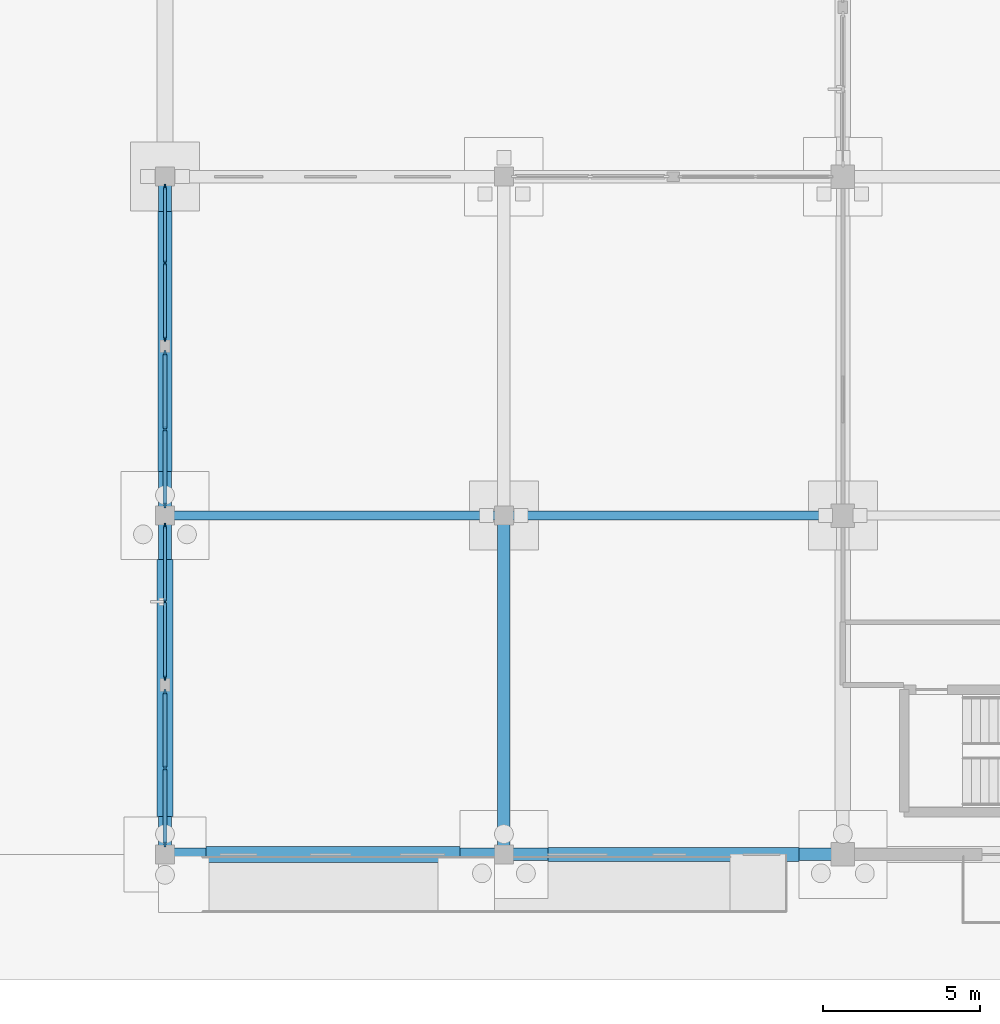
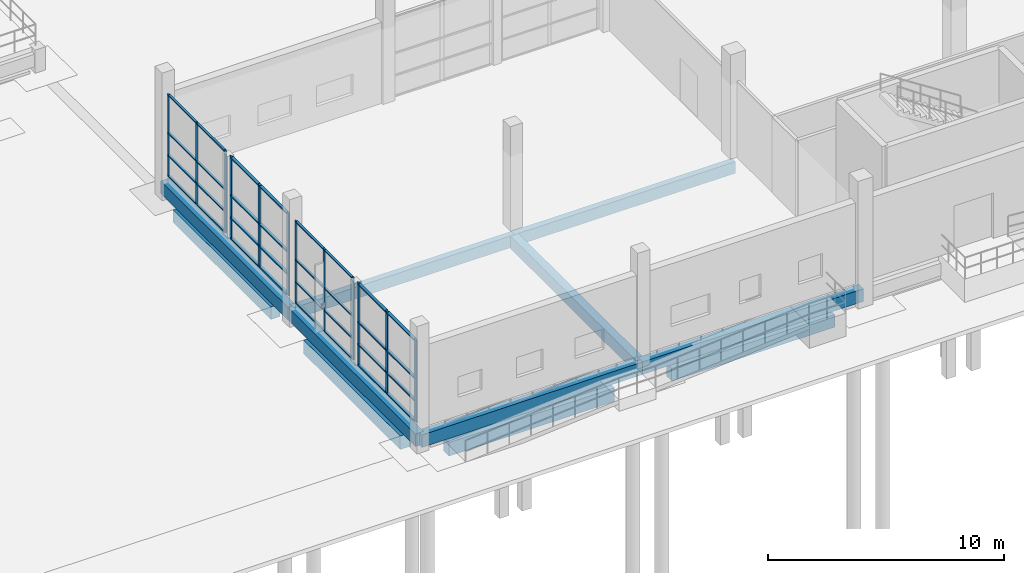
# One storey, part 30 of 138: 44 members, 11 beams, 4 elements without a shape of their own.
"""IFC4 building model written with IfcOpenShell, lengths in metres."""

from ifc_helpers import new_model, si_unit, direction, frame, origin, origin_2d, place, context, subcontext, project, spatial, rectangle, extrude, material, material_profile, profile_set, type_object, element, aggregate, save


model = new_model("IFC4")

# Units and contexts
model_context = context("Model", 3, precision=1e-05, world=origin(), true_north=direction((0.0, 1.0)))
body_context = subcontext(model_context, "Body", "Model", "MODEL_VIEW")
ifc_project = project(units=[si_unit("LENGTHUNIT", "METRE"), si_unit("AREAUNIT", "SQUARE_METRE"), si_unit("VOLUMEUNIT", "CUBIC_METRE"), si_unit("PLANEANGLEUNIT", "RADIAN"), si_unit("MASSUNIT", "GRAM", prefix="KILO")], contexts=[model_context])

# Site, building, storey
site_placement = place(None, origin())
site = spatial("IfcSite", under=ifc_project, at=site_placement, CompositionType="ELEMENT")
building_placement = place(site_placement, origin())
building = spatial("IfcBuilding", under=site, at=building_placement, Name="Zwinboog Wholesale Market", CompositionType="ELEMENT")
storey_placement = place(building_placement, origin())
storey = spatial("IfcBuildingStorey", under=building, at=storey_placement, Name="L00", CompositionType="ELEMENT", Elevation=0.0)

# Beams
ifc_material_1 = material(Name="Precast concrete C45/55", Category="concrete")
ifc_material_profile_1 = material_profile(ifc_material_1, rectangle(XDim=0.39990234375, YDim=0.64990234375, at=origin_2d()), Name="PC 400x650")
ifc_profile_set_1 = profile_set([ifc_material_profile_1], Name="Precast concrete C45/55")
beam_type_1 = type_object("IfcBeamType", Name="BT-05", PredefinedType="BEAM", material=ifc_profile_set_1)
for number, where, z_axis, x_axis, name in (
    (1, (108.0, 0.0, -0.705078125), (1.0, 0.0, 0.0), (0.0, 1.0, 0.0), "BG-05 (BMG-L00-1080-0000-0005)"),
    (2, (118.800048828125, 0.0, -0.705078125), (1.0, 0.0, 0.0), (0.0, 1.0, 0.0), "BG-05 (BMG-L00-1188-0000-0006)"),
    (3, (108.0, 0.0, -0.705078125), (0.0, 1.0, 0.0), (-1.0, 0.0, 0.0), "BG-05 (BMG-L00-1080-0000-0309)"),
    (4, (108.0, 10.800048828125, -0.705078125), (0.0, 1.0, 0.0), (-1.0, 0.0, 0.0), "BG-05 (BMG-L00-1080-0108-0310)"),
    (5, (118.800048828125, 0.0, -0.705078125), (0.0, 1.0, 0.0), (-1.0, 0.0, 0.0), "BG-05 (BMG-L00-1188-0000-0319)"),
):
    element("IfcBeam", number, at=place(storey_placement, frame(where, z_axis=z_axis, x_axis=x_axis)), inside=storey, type_object=beam_type_1, Name=name, PredefinedType="BEAM", context=body_context, shape_type="SweptSolid", body=[
        extrude(rectangle(XDim=0.39990234375, YDim=0.64990234375, at=origin_2d()), origin(), (0.0, 0.0, 1.0), 10.800048828125),
    ])
ifc_material_profile_2 = material_profile(ifc_material_1, rectangle(XDim=0.300048828125, YDim=0.60009765625, at=origin_2d()), Name="PC 300x600")
ifc_profile_set_2 = profile_set([ifc_material_profile_2], Name="Precast concrete C45/55")
beam_type_2 = type_object("IfcBeamType", Name="BT-09", PredefinedType="SPANDREL", material=ifc_profile_set_2)
for number, where, z_axis, x_axis, name in (
    (6, (108.0, 10.800048828125, -0.679931640625), (1.0, 0.0, 0.0), (0.0, 1.0, 0.0), "SP-02 (BMG-L00-1080-0108-0019)"),
    (7, (118.800048828125, 10.800048828125, -0.679931640625), (1.0, 0.0, 0.0), (0.0, 1.0, 0.0), "SP-02 (BMG-L00-1188-0108-0020)"),
):
    element("IfcBeam", number, at=place(storey_placement, frame(where, z_axis=z_axis, x_axis=x_axis)), inside=storey, type_object=beam_type_2, Name=name, PredefinedType="SPANDREL", context=body_context, shape_type="SweptSolid", body=[
        extrude(rectangle(XDim=0.300048828125, YDim=0.60009765625, at=origin_2d()), origin(), (0.0, 0.0, 1.0), 10.800048828125),
    ])
ifc_material_2 = material(Name="Concrete C35/45", Category="concrete")
ifc_material_profile_3 = material_profile(ifc_material_2, rectangle(XDim=0.5, YDim=0.699951171875, at=origin_2d()), Name="RC 500x700")
ifc_profile_set_3 = profile_set([ifc_material_profile_3], Name="Concrete C35/45")
beam_type_3 = type_object("IfcBeamType", Name="BT-12", PredefinedType="USERDEFINED", material=ifc_profile_set_3)
beam_1_placement = place(storey_placement, frame((109.304931640625, 0.0, -1.550048828125), z_axis=(1.0, 0.0, 0.0), x_axis=(0.0, 1.0, 0.0)))
element("IfcBeam", 8, at=beam_1_placement, inside=storey, type_object=beam_type_3, Name="GB-01 (BM-GB-0005)", ObjectType="GROUND_BEAM", PredefinedType="USERDEFINED", context=body_context, shape_type="SweptSolid", body=[
    extrude(rectangle(XDim=0.5, YDim=0.699951171875, at=origin_2d()), origin(), (0.0, 0.0, 1.0), 8.090087890625),
])
beam_2_placement = place(storey_placement, frame((108.0, 1.205078125, -1.550048828125), z_axis=(0.0, 1.0, 0.0), x_axis=(-1.0, 0.0, 0.0)))
element("IfcBeam", 9, at=beam_2_placement, inside=storey, type_object=beam_type_3, Name="GB-01 (BM-GB-0160)", ObjectType="GROUND_BEAM", PredefinedType="USERDEFINED", context=body_context, shape_type="SweptSolid", body=[
    extrude(rectangle(XDim=0.5, YDim=0.699951171875, at=origin_2d()), origin(), (0.0, 0.0, 1.0), 8.18994140625),
])
ifc_material_profile_4 = material_profile(ifc_material_2, rectangle(XDim=0.449951171875, YDim=0.64990234375, at=origin_2d()), Name="RC 450x650")
ifc_profile_set_4 = profile_set([ifc_material_profile_4], Name="Concrete C35/45")
beam_type_4 = type_object("IfcBeamType", Name="BT-13", PredefinedType="USERDEFINED", material=ifc_profile_set_4)
beam_3_placement = place(storey_placement, frame((120.205078125, 0.0, -1.52490234375), z_axis=(1.0, 0.0, 0.0), x_axis=(0.0, 1.0, 0.0)))
element("IfcBeam", 10, at=beam_3_placement, inside=storey, type_object=beam_type_4, Name="GB-02 (BM-GB-0006)", ObjectType="GROUND_BEAM", PredefinedType="USERDEFINED", context=body_context, shape_type="SweptSolid", body=[
    extrude(rectangle(XDim=0.449951171875, YDim=0.64990234375, at=origin_2d()), origin(), (0.0, 0.0, 1.0), 7.989990234375),
])
beam_4_placement = place(storey_placement, frame((108.0, 12.205078125, -1.52490234375), z_axis=(0.0, 1.0, 0.0), x_axis=(-1.0, 0.0, 0.0)))
element("IfcBeam", 11, at=beam_4_placement, inside=storey, type_object=beam_type_4, Name="GB-02 (BM-GB-0161)", ObjectType="GROUND_BEAM", PredefinedType="USERDEFINED", context=body_context, shape_type="SweptSolid", body=[
    extrude(rectangle(XDim=0.449951171875, YDim=0.64990234375, at=origin_2d()), origin(), (0.0, 0.0, 1.0), 8.2900390625),
])

# Curtain wall, members
ifc_material_3 = material(Name="Aluminium thermally broken curtain wall", Category="aluminium")
curtain_wall_type_1 = type_object("IfcCurtainWallType", Name="CWT-CAFE-22", PredefinedType="USERDEFINED", material=ifc_material_3)
curtain_wall_1_placement = place(storey_placement, origin())
curtain_wall_1 = element("IfcCurtainWall", 12, at=curtain_wall_1_placement, inside=storey, type_object=curtain_wall_type_1, Name="CW-05 (CW-L00-035)", ObjectType="STOREFRONT_GLAZING", PredefinedType="USERDEFINED")
ifc_material_4 = material(Name="Aluminium EN AW-6060", Category="aluminium")
ifc_material_profile_5 = material_profile(ifc_material_4, rectangle(XDim=0.06494140625, YDim=0.179931640625, at=origin_2d()), Name="AL 65x180")
ifc_profile_set_5 = profile_set([ifc_material_profile_5], Name="Aluminium EN AW-6060")
member_type_1 = type_object("IfcMemberType", Name="CWM-65x180", PredefinedType="MULLION", material=ifc_profile_set_5)
member_1_placement = place(storey_placement, frame((108.0, 0.327392578125, 0.0), z_axis=(0.0, 0.0, 1.0), x_axis=(-1.0, 0.0, 0.0)))
member_1 = element("IfcMember", 13, at=member_1_placement, type_object=member_type_1, Name="CW-05 mullion 1", PredefinedType="MULLION", context=body_context, shape_type="SweptSolid", body=[
    extrude(rectangle(XDim=0.06494140625, YDim=0.179931640625, at=origin_2d()), origin(), (0.0, 0.0, 1.0), 4.25),
])
member_2_placement = place(storey_placement, frame((108.0, 2.74755859375, 0.0), z_axis=(0.0, 0.0, 1.0), x_axis=(-1.0, 0.0, 0.0)))
member_2 = element("IfcMember", 14, at=member_2_placement, type_object=member_type_1, Name="CW-05 mullion 2", PredefinedType="MULLION", context=body_context, shape_type="SweptSolid", body=[
    extrude(rectangle(XDim=0.06494140625, YDim=0.179931640625, at=origin_2d()), origin(), (0.0, 0.0, 1.0), 4.25),
])
member_3_placement = place(storey_placement, frame((108.0, 5.16748046875, 0.0), z_axis=(0.0, 0.0, 1.0), x_axis=(-1.0, 0.0, 0.0)))
member_3 = element("IfcMember", 15, at=member_3_placement, type_object=member_type_1, Name="CW-05 mullion 3", PredefinedType="MULLION", context=body_context, shape_type="SweptSolid", body=[
    extrude(rectangle(XDim=0.06494140625, YDim=0.179931640625, at=origin_2d()), origin(), (0.0, 0.0, 1.0), 4.25),
])

curtain_wall_type_2 = type_object("IfcCurtainWallType", Name="CWT-STALL-18", PredefinedType="USERDEFINED", material=ifc_material_3)
curtain_wall_2_placement = place(storey_placement, origin())
curtain_wall_2 = element("IfcCurtainWall", 16, at=curtain_wall_2_placement, inside=storey, type_object=curtain_wall_type_2, Name="CW-01 (CW-L00-037)", ObjectType="STOREFRONT_GLAZING", PredefinedType="USERDEFINED")
member_4_placement = place(storey_placement, frame((108.0, 11.12744140625, 0.0), z_axis=(0.0, 0.0, 1.0), x_axis=(-1.0, 0.0, 0.0)))
member_4 = element("IfcMember", 17, at=member_4_placement, type_object=member_type_1, Name="CW-01 mullion 1", PredefinedType="MULLION", context=body_context, shape_type="SweptSolid", body=[
    extrude(rectangle(XDim=0.06494140625, YDim=0.179931640625, at=origin_2d()), origin(), (0.0, 0.0, 1.0), 4.25),
])
member_5_placement = place(storey_placement, frame((108.0, 13.547607421875, 0.0), z_axis=(0.0, 0.0, 1.0), x_axis=(-1.0, 0.0, 0.0)))
member_5 = element("IfcMember", 18, at=member_5_placement, type_object=member_type_1, Name="CW-01 mullion 2", PredefinedType="MULLION", context=body_context, shape_type="SweptSolid", body=[
    extrude(rectangle(XDim=0.06494140625, YDim=0.179931640625, at=origin_2d()), origin(), (0.0, 0.0, 1.0), 4.25),
])
member_6_placement = place(storey_placement, frame((108.0, 15.967529296875, 0.0), z_axis=(0.0, 0.0, 1.0), x_axis=(-1.0, 0.0, 0.0)))
member_6 = element("IfcMember", 19, at=member_6_placement, type_object=member_type_1, Name="CW-01 mullion 3", PredefinedType="MULLION", context=body_context, shape_type="SweptSolid", body=[
    extrude(rectangle(XDim=0.06494140625, YDim=0.179931640625, at=origin_2d()), origin(), (0.0, 0.0, 1.0), 4.25),
])

curtain_wall_type_3 = type_object("IfcCurtainWallType", Name="CWT-OFF-15", PredefinedType="USERDEFINED", material=ifc_material_3)
curtain_wall_3_placement = place(storey_placement, origin())
curtain_wall_3 = element("IfcCurtainWall", 20, at=curtain_wall_3_placement, inside=storey, type_object=curtain_wall_type_3, Name="CW-06 (CW-L00-036)", ObjectType="UNITIZED_CURTAIN_WALL", PredefinedType="USERDEFINED")
ifc_material_profile_6 = material_profile(ifc_material_4, rectangle(XDim=0.06005859375, YDim=0.14990234375, at=origin_2d()), Name="AL 60x150")
ifc_profile_set_6 = profile_set([ifc_material_profile_6], Name="Aluminium EN AW-6060")
member_type_2 = type_object("IfcMemberType", Name="CWM-60x150", PredefinedType="MULLION", material=ifc_profile_set_6)
member_7_placement = place(storey_placement, frame((108.0, 5.6298828125, 0.0), z_axis=(0.0, 0.0, 1.0), x_axis=(-1.0, 0.0, 0.0)))
member_7 = element("IfcMember", 21, at=member_7_placement, type_object=member_type_2, Name="CW-06 mullion 1", PredefinedType="MULLION", context=body_context, shape_type="SweptSolid", body=[
    extrude(rectangle(XDim=0.06005859375, YDim=0.14990234375, at=origin_2d()), origin(), (0.0, 0.0, 1.0), 4.25),
])
member_8_placement = place(storey_placement, frame((108.0, 8.052490234375, 0.0), z_axis=(0.0, 0.0, 1.0), x_axis=(-1.0, 0.0, 0.0)))
member_8 = element("IfcMember", 22, at=member_8_placement, type_object=member_type_2, Name="CW-06 mullion 2", PredefinedType="MULLION", context=body_context, shape_type="SweptSolid", body=[
    extrude(rectangle(XDim=0.06005859375, YDim=0.14990234375, at=origin_2d()), origin(), (0.0, 0.0, 1.0), 4.25),
])
member_9_placement = place(storey_placement, frame((108.0, 10.47509765625, 0.0), z_axis=(0.0, 0.0, 1.0), x_axis=(-1.0, 0.0, 0.0)))
member_9 = element("IfcMember", 23, at=member_9_placement, type_object=member_type_2, Name="CW-06 mullion 3", PredefinedType="MULLION", context=body_context, shape_type="SweptSolid", body=[
    extrude(rectangle(XDim=0.06005859375, YDim=0.14990234375, at=origin_2d()), origin(), (0.0, 0.0, 1.0), 4.25),
])

curtain_wall_type_4 = type_object("IfcCurtainWallType", Name="CWT-STALL-20", PredefinedType="USERDEFINED", material=ifc_material_3)
curtain_wall_4_placement = place(storey_placement, origin())
curtain_wall_4 = element("IfcCurtainWall", 24, at=curtain_wall_4_placement, inside=storey, type_object=curtain_wall_type_4, Name="CW-02 (CW-L00-038)", ObjectType="STOREFRONT_GLAZING", PredefinedType="USERDEFINED")
member_10_placement = place(storey_placement, frame((108.0, 16.429931640625, 0.0), z_axis=(0.0, 0.0, 1.0), x_axis=(-1.0, 0.0, 0.0)))
member_10 = element("IfcMember", 25, at=member_10_placement, type_object=member_type_2, Name="CW-02 mullion 1", PredefinedType="MULLION", context=body_context, shape_type="SweptSolid", body=[
    extrude(rectangle(XDim=0.06005859375, YDim=0.14990234375, at=origin_2d()), origin(), (0.0, 0.0, 1.0), 4.25),
])
member_11_placement = place(storey_placement, frame((108.0, 18.8525390625, 0.0), z_axis=(0.0, 0.0, 1.0), x_axis=(-1.0, 0.0, 0.0)))
member_11 = element("IfcMember", 26, at=member_11_placement, type_object=member_type_2, Name="CW-02 mullion 2", PredefinedType="MULLION", context=body_context, shape_type="SweptSolid", body=[
    extrude(rectangle(XDim=0.06005859375, YDim=0.14990234375, at=origin_2d()), origin(), (0.0, 0.0, 1.0), 4.25),
])
member_12_placement = place(storey_placement, frame((108.0, 21.27490234375, 0.0), z_axis=(0.0, 0.0, 1.0), x_axis=(-1.0, 0.0, 0.0)))
member_12 = element("IfcMember", 27, at=member_12_placement, type_object=member_type_2, Name="CW-02 mullion 3", PredefinedType="MULLION", context=body_context, shape_type="SweptSolid", body=[
    extrude(rectangle(XDim=0.06005859375, YDim=0.14990234375, at=origin_2d()), origin(), (0.0, 0.0, 1.0), 4.25),
])

# Member
ifc_material_profile_7 = material_profile(ifc_material_4, rectangle(XDim=0.139892578125, YDim=0.06494140625, at=origin_2d()), Name="AL 65x140")
ifc_profile_set_7 = profile_set([ifc_material_profile_7], Name="Aluminium EN AW-6060")
member_type_3 = type_object("IfcMemberType", Name="CWT-65x140", PredefinedType="USERDEFINED", material=ifc_profile_set_7)
member_13_placement = place(storey_placement, frame((108.0, 0.360107421875, 0.032470703125), z_axis=(0.0, 1.0, 0.0), x_axis=(-1.0, 0.0, 0.0)))
member_13 = element("IfcMember", 28, at=member_13_placement, type_object=member_type_3, Name="CW-05 transom 1.1", ObjectType="TRANSOM", PredefinedType="USERDEFINED", context=body_context, shape_type="SweptSolid", body=[
    extrude(rectangle(XDim=0.139892578125, YDim=0.06494140625, at=origin_2d()), origin(), (0.0, 0.0, 1.0), 2.35498046875),
])

member_14_placement = place(storey_placement, frame((108.0, 0.360107421875, 1.10009765625), z_axis=(0.0, 1.0, 0.0), x_axis=(-1.0, 0.0, 0.0)))
member_14 = element("IfcMember", 29, at=member_14_placement, type_object=member_type_3, Name="CW-05 transom 1.2", ObjectType="TRANSOM", PredefinedType="USERDEFINED", context=body_context, shape_type="SweptSolid", body=[
    extrude(rectangle(XDim=0.139892578125, YDim=0.06494140625, at=origin_2d()), origin(), (0.0, 0.0, 1.0), 2.35498046875),
])

member_15_placement = place(storey_placement, frame((108.0, 0.360107421875, 2.25), z_axis=(0.0, 1.0, 0.0), x_axis=(-1.0, 0.0, 0.0)))
member_15 = element("IfcMember", 30, at=member_15_placement, type_object=member_type_3, Name="CW-05 transom 1.3", ObjectType="TRANSOM", PredefinedType="USERDEFINED", context=body_context, shape_type="SweptSolid", body=[
    extrude(rectangle(XDim=0.139892578125, YDim=0.06494140625, at=origin_2d()), origin(), (0.0, 0.0, 1.0), 2.35498046875),
])

member_16_placement = place(storey_placement, frame((108.0, 0.360107421875, 4.217529296875), z_axis=(0.0, 1.0, 0.0), x_axis=(-1.0, 0.0, 0.0)))
member_16 = element("IfcMember", 31, at=member_16_placement, type_object=member_type_3, Name="CW-05 transom 1.4", ObjectType="TRANSOM", PredefinedType="USERDEFINED", context=body_context, shape_type="SweptSolid", body=[
    extrude(rectangle(XDim=0.139892578125, YDim=0.06494140625, at=origin_2d()), origin(), (0.0, 0.0, 1.0), 2.35498046875),
])

member_17_placement = place(storey_placement, frame((108.0, 2.780029296875, 0.032470703125), z_axis=(0.0, 1.0, 0.0), x_axis=(-1.0, 0.0, 0.0)))
member_17 = element("IfcMember", 32, at=member_17_placement, type_object=member_type_3, Name="CW-05 transom 2.1", ObjectType="TRANSOM", PredefinedType="USERDEFINED", context=body_context, shape_type="SweptSolid", body=[
    extrude(rectangle(XDim=0.139892578125, YDim=0.06494140625, at=origin_2d()), origin(), (0.0, 0.0, 1.0), 2.35498046875),
])

member_18_placement = place(storey_placement, frame((108.0, 2.780029296875, 1.10009765625), z_axis=(0.0, 1.0, 0.0), x_axis=(-1.0, 0.0, 0.0)))
member_18 = element("IfcMember", 33, at=member_18_placement, type_object=member_type_3, Name="CW-05 transom 2.2", ObjectType="TRANSOM", PredefinedType="USERDEFINED", context=body_context, shape_type="SweptSolid", body=[
    extrude(rectangle(XDim=0.139892578125, YDim=0.06494140625, at=origin_2d()), origin(), (0.0, 0.0, 1.0), 2.35498046875),
])

member_19_placement = place(storey_placement, frame((108.0, 2.780029296875, 2.25), z_axis=(0.0, 1.0, 0.0), x_axis=(-1.0, 0.0, 0.0)))
member_19 = element("IfcMember", 34, at=member_19_placement, type_object=member_type_3, Name="CW-05 transom 2.3", ObjectType="TRANSOM", PredefinedType="USERDEFINED", context=body_context, shape_type="SweptSolid", body=[
    extrude(rectangle(XDim=0.139892578125, YDim=0.06494140625, at=origin_2d()), origin(), (0.0, 0.0, 1.0), 2.35498046875),
])

member_20_placement = place(storey_placement, frame((108.0, 2.780029296875, 4.217529296875), z_axis=(0.0, 1.0, 0.0), x_axis=(-1.0, 0.0, 0.0)))
member_20 = element("IfcMember", 35, at=member_20_placement, type_object=member_type_3, Name="CW-05 transom 2.4", ObjectType="TRANSOM", PredefinedType="USERDEFINED", context=body_context, shape_type="SweptSolid", body=[
    extrude(rectangle(XDim=0.139892578125, YDim=0.06494140625, at=origin_2d()), origin(), (0.0, 0.0, 1.0), 2.35498046875),
])

aggregate(curtain_wall_1, [member_1, member_2, member_3, member_13, member_14, member_15, member_16, member_17, member_18, member_19, member_20])

member_21_placement = place(storey_placement, frame((108.0, 11.159912109375, 0.032470703125), z_axis=(0.0, 1.0, 0.0), x_axis=(-1.0, 0.0, 0.0)))
member_21 = element("IfcMember", 36, at=member_21_placement, type_object=member_type_3, Name="CW-01 transom 1.1", ObjectType="TRANSOM", PredefinedType="USERDEFINED", context=body_context, shape_type="SweptSolid", body=[
    extrude(rectangle(XDim=0.139892578125, YDim=0.06494140625, at=origin_2d()), origin(), (0.0, 0.0, 1.0), 2.35498046875),
])

member_22_placement = place(storey_placement, frame((108.0, 11.159912109375, 1.10009765625), z_axis=(0.0, 1.0, 0.0), x_axis=(-1.0, 0.0, 0.0)))
member_22 = element("IfcMember", 37, at=member_22_placement, type_object=member_type_3, Name="CW-01 transom 1.2", ObjectType="TRANSOM", PredefinedType="USERDEFINED", context=body_context, shape_type="SweptSolid", body=[
    extrude(rectangle(XDim=0.139892578125, YDim=0.06494140625, at=origin_2d()), origin(), (0.0, 0.0, 1.0), 2.35498046875),
])

member_23_placement = place(storey_placement, frame((108.0, 11.159912109375, 2.25), z_axis=(0.0, 1.0, 0.0), x_axis=(-1.0, 0.0, 0.0)))
member_23 = element("IfcMember", 38, at=member_23_placement, type_object=member_type_3, Name="CW-01 transom 1.3", ObjectType="TRANSOM", PredefinedType="USERDEFINED", context=body_context, shape_type="SweptSolid", body=[
    extrude(rectangle(XDim=0.139892578125, YDim=0.06494140625, at=origin_2d()), origin(), (0.0, 0.0, 1.0), 2.35498046875),
])

member_24_placement = place(storey_placement, frame((108.0, 11.159912109375, 4.217529296875), z_axis=(0.0, 1.0, 0.0), x_axis=(-1.0, 0.0, 0.0)))
member_24 = element("IfcMember", 39, at=member_24_placement, type_object=member_type_3, Name="CW-01 transom 1.4", ObjectType="TRANSOM", PredefinedType="USERDEFINED", context=body_context, shape_type="SweptSolid", body=[
    extrude(rectangle(XDim=0.139892578125, YDim=0.06494140625, at=origin_2d()), origin(), (0.0, 0.0, 1.0), 2.35498046875),
])

member_25_placement = place(storey_placement, frame((108.0, 13.580078125, 0.032470703125), z_axis=(0.0, 1.0, 0.0), x_axis=(-1.0, 0.0, 0.0)))
member_25 = element("IfcMember", 40, at=member_25_placement, type_object=member_type_3, Name="CW-01 transom 2.1", ObjectType="TRANSOM", PredefinedType="USERDEFINED", context=body_context, shape_type="SweptSolid", body=[
    extrude(rectangle(XDim=0.139892578125, YDim=0.06494140625, at=origin_2d()), origin(), (0.0, 0.0, 1.0), 2.35498046875),
])

member_26_placement = place(storey_placement, frame((108.0, 13.580078125, 1.10009765625), z_axis=(0.0, 1.0, 0.0), x_axis=(-1.0, 0.0, 0.0)))
member_26 = element("IfcMember", 41, at=member_26_placement, type_object=member_type_3, Name="CW-01 transom 2.2", ObjectType="TRANSOM", PredefinedType="USERDEFINED", context=body_context, shape_type="SweptSolid", body=[
    extrude(rectangle(XDim=0.139892578125, YDim=0.06494140625, at=origin_2d()), origin(), (0.0, 0.0, 1.0), 2.35498046875),
])

member_27_placement = place(storey_placement, frame((108.0, 13.580078125, 2.25), z_axis=(0.0, 1.0, 0.0), x_axis=(-1.0, 0.0, 0.0)))
member_27 = element("IfcMember", 42, at=member_27_placement, type_object=member_type_3, Name="CW-01 transom 2.3", ObjectType="TRANSOM", PredefinedType="USERDEFINED", context=body_context, shape_type="SweptSolid", body=[
    extrude(rectangle(XDim=0.139892578125, YDim=0.06494140625, at=origin_2d()), origin(), (0.0, 0.0, 1.0), 2.35498046875),
])

member_28_placement = place(storey_placement, frame((108.0, 13.580078125, 4.217529296875), z_axis=(0.0, 1.0, 0.0), x_axis=(-1.0, 0.0, 0.0)))
member_28 = element("IfcMember", 43, at=member_28_placement, type_object=member_type_3, Name="CW-01 transom 2.4", ObjectType="TRANSOM", PredefinedType="USERDEFINED", context=body_context, shape_type="SweptSolid", body=[
    extrude(rectangle(XDim=0.139892578125, YDim=0.06494140625, at=origin_2d()), origin(), (0.0, 0.0, 1.0), 2.35498046875),
])

aggregate(curtain_wall_2, [member_4, member_5, member_6, member_21, member_22, member_23, member_24, member_25, member_26, member_27, member_28])

ifc_material_profile_8 = material_profile(ifc_material_4, rectangle(XDim=0.110107421875, YDim=0.06005859375, at=origin_2d()), Name="AL 60x110")
ifc_profile_set_8 = profile_set([ifc_material_profile_8], Name="Aluminium EN AW-6060")
member_type_4 = type_object("IfcMemberType", Name="CWT-60x110", PredefinedType="USERDEFINED", material=ifc_profile_set_8)
member_29_placement = place(storey_placement, frame((108.0, 5.659912109375, 0.030029296875), z_axis=(0.0, 1.0, 0.0), x_axis=(-1.0, 0.0, 0.0)))
member_29 = element("IfcMember", 44, at=member_29_placement, type_object=member_type_4, Name="CW-06 transom 1.1", ObjectType="TRANSOM", PredefinedType="USERDEFINED", context=body_context, shape_type="SweptSolid", body=[
    extrude(rectangle(XDim=0.110107421875, YDim=0.06005859375, at=origin_2d()), origin(), (0.0, 0.0, 1.0), 2.362548828125),
])

member_30_placement = place(storey_placement, frame((108.0, 5.659912109375, 1.10009765625), z_axis=(0.0, 1.0, 0.0), x_axis=(-1.0, 0.0, 0.0)))
member_30 = element("IfcMember", 45, at=member_30_placement, type_object=member_type_4, Name="CW-06 transom 1.2", ObjectType="TRANSOM", PredefinedType="USERDEFINED", context=body_context, shape_type="SweptSolid", body=[
    extrude(rectangle(XDim=0.110107421875, YDim=0.06005859375, at=origin_2d()), origin(), (0.0, 0.0, 1.0), 2.362548828125),
])

member_31_placement = place(storey_placement, frame((108.0, 5.659912109375, 2.25), z_axis=(0.0, 1.0, 0.0), x_axis=(-1.0, 0.0, 0.0)))
member_31 = element("IfcMember", 46, at=member_31_placement, type_object=member_type_4, Name="CW-06 transom 1.3", ObjectType="TRANSOM", PredefinedType="USERDEFINED", context=body_context, shape_type="SweptSolid", body=[
    extrude(rectangle(XDim=0.110107421875, YDim=0.06005859375, at=origin_2d()), origin(), (0.0, 0.0, 1.0), 2.362548828125),
])

member_32_placement = place(storey_placement, frame((108.0, 5.659912109375, 4.219970703125), z_axis=(0.0, 1.0, 0.0), x_axis=(-1.0, 0.0, 0.0)))
member_32 = element("IfcMember", 47, at=member_32_placement, type_object=member_type_4, Name="CW-06 transom 1.4", ObjectType="TRANSOM", PredefinedType="USERDEFINED", context=body_context, shape_type="SweptSolid", body=[
    extrude(rectangle(XDim=0.110107421875, YDim=0.06005859375, at=origin_2d()), origin(), (0.0, 0.0, 1.0), 2.362548828125),
])

member_33_placement = place(storey_placement, frame((108.0, 8.08251953125, 0.030029296875), z_axis=(0.0, 1.0, 0.0), x_axis=(-1.0, 0.0, 0.0)))
member_33 = element("IfcMember", 48, at=member_33_placement, type_object=member_type_4, Name="CW-06 transom 2.1", ObjectType="TRANSOM", PredefinedType="USERDEFINED", context=body_context, shape_type="SweptSolid", body=[
    extrude(rectangle(XDim=0.110107421875, YDim=0.06005859375, at=origin_2d()), origin(), (0.0, 0.0, 1.0), 2.362548828125),
])

member_34_placement = place(storey_placement, frame((108.0, 8.08251953125, 1.10009765625), z_axis=(0.0, 1.0, 0.0), x_axis=(-1.0, 0.0, 0.0)))
member_34 = element("IfcMember", 49, at=member_34_placement, type_object=member_type_4, Name="CW-06 transom 2.2", ObjectType="TRANSOM", PredefinedType="USERDEFINED", context=body_context, shape_type="SweptSolid", body=[
    extrude(rectangle(XDim=0.110107421875, YDim=0.06005859375, at=origin_2d()), origin(), (0.0, 0.0, 1.0), 2.362548828125),
])

member_35_placement = place(storey_placement, frame((108.0, 8.08251953125, 2.25), z_axis=(0.0, 1.0, 0.0), x_axis=(-1.0, 0.0, 0.0)))
member_35 = element("IfcMember", 50, at=member_35_placement, type_object=member_type_4, Name="CW-06 transom 2.3", ObjectType="TRANSOM", PredefinedType="USERDEFINED", context=body_context, shape_type="SweptSolid", body=[
    extrude(rectangle(XDim=0.110107421875, YDim=0.06005859375, at=origin_2d()), origin(), (0.0, 0.0, 1.0), 2.362548828125),
])

member_36_placement = place(storey_placement, frame((108.0, 8.08251953125, 4.219970703125), z_axis=(0.0, 1.0, 0.0), x_axis=(-1.0, 0.0, 0.0)))
member_36 = element("IfcMember", 51, at=member_36_placement, type_object=member_type_4, Name="CW-06 transom 2.4", ObjectType="TRANSOM", PredefinedType="USERDEFINED", context=body_context, shape_type="SweptSolid", body=[
    extrude(rectangle(XDim=0.110107421875, YDim=0.06005859375, at=origin_2d()), origin(), (0.0, 0.0, 1.0), 2.362548828125),
])

aggregate(curtain_wall_3, [member_7, member_8, member_9, member_29, member_30, member_31, member_32, member_33, member_34, member_35, member_36])

member_37_placement = place(storey_placement, frame((108.0, 16.4599609375, 0.030029296875), z_axis=(0.0, 1.0, 0.0), x_axis=(-1.0, 0.0, 0.0)))
member_37 = element("IfcMember", 52, at=member_37_placement, type_object=member_type_4, Name="CW-02 transom 1.1", ObjectType="TRANSOM", PredefinedType="USERDEFINED", context=body_context, shape_type="SweptSolid", body=[
    extrude(rectangle(XDim=0.110107421875, YDim=0.06005859375, at=origin_2d()), origin(), (0.0, 0.0, 1.0), 2.362548828125),
])

member_38_placement = place(storey_placement, frame((108.0, 16.4599609375, 1.10009765625), z_axis=(0.0, 1.0, 0.0), x_axis=(-1.0, 0.0, 0.0)))
member_38 = element("IfcMember", 53, at=member_38_placement, type_object=member_type_4, Name="CW-02 transom 1.2", ObjectType="TRANSOM", PredefinedType="USERDEFINED", context=body_context, shape_type="SweptSolid", body=[
    extrude(rectangle(XDim=0.110107421875, YDim=0.06005859375, at=origin_2d()), origin(), (0.0, 0.0, 1.0), 2.362548828125),
])

member_39_placement = place(storey_placement, frame((108.0, 16.4599609375, 2.25), z_axis=(0.0, 1.0, 0.0), x_axis=(-1.0, 0.0, 0.0)))
member_39 = element("IfcMember", 54, at=member_39_placement, type_object=member_type_4, Name="CW-02 transom 1.3", ObjectType="TRANSOM", PredefinedType="USERDEFINED", context=body_context, shape_type="SweptSolid", body=[
    extrude(rectangle(XDim=0.110107421875, YDim=0.06005859375, at=origin_2d()), origin(), (0.0, 0.0, 1.0), 2.362548828125),
])

member_40_placement = place(storey_placement, frame((108.0, 16.4599609375, 4.219970703125), z_axis=(0.0, 1.0, 0.0), x_axis=(-1.0, 0.0, 0.0)))
member_40 = element("IfcMember", 55, at=member_40_placement, type_object=member_type_4, Name="CW-02 transom 1.4", ObjectType="TRANSOM", PredefinedType="USERDEFINED", context=body_context, shape_type="SweptSolid", body=[
    extrude(rectangle(XDim=0.110107421875, YDim=0.06005859375, at=origin_2d()), origin(), (0.0, 0.0, 1.0), 2.362548828125),
])

member_41_placement = place(storey_placement, frame((108.0, 18.882568359375, 0.030029296875), z_axis=(0.0, 1.0, 0.0), x_axis=(-1.0, 0.0, 0.0)))
member_41 = element("IfcMember", 56, at=member_41_placement, type_object=member_type_4, Name="CW-02 transom 2.1", ObjectType="TRANSOM", PredefinedType="USERDEFINED", context=body_context, shape_type="SweptSolid", body=[
    extrude(rectangle(XDim=0.110107421875, YDim=0.06005859375, at=origin_2d()), origin(), (0.0, 0.0, 1.0), 2.362548828125),
])

member_42_placement = place(storey_placement, frame((108.0, 18.882568359375, 1.10009765625), z_axis=(0.0, 1.0, 0.0), x_axis=(-1.0, 0.0, 0.0)))
member_42 = element("IfcMember", 57, at=member_42_placement, type_object=member_type_4, Name="CW-02 transom 2.2", ObjectType="TRANSOM", PredefinedType="USERDEFINED", context=body_context, shape_type="SweptSolid", body=[
    extrude(rectangle(XDim=0.110107421875, YDim=0.06005859375, at=origin_2d()), origin(), (0.0, 0.0, 1.0), 2.362548828125),
])

member_43_placement = place(storey_placement, frame((108.0, 18.882568359375, 2.25), z_axis=(0.0, 1.0, 0.0), x_axis=(-1.0, 0.0, 0.0)))
member_43 = element("IfcMember", 58, at=member_43_placement, type_object=member_type_4, Name="CW-02 transom 2.3", ObjectType="TRANSOM", PredefinedType="USERDEFINED", context=body_context, shape_type="SweptSolid", body=[
    extrude(rectangle(XDim=0.110107421875, YDim=0.06005859375, at=origin_2d()), origin(), (0.0, 0.0, 1.0), 2.362548828125),
])

member_44_placement = place(storey_placement, frame((108.0, 18.882568359375, 4.219970703125), z_axis=(0.0, 1.0, 0.0), x_axis=(-1.0, 0.0, 0.0)))
member_44 = element("IfcMember", 59, at=member_44_placement, type_object=member_type_4, Name="CW-02 transom 2.4", ObjectType="TRANSOM", PredefinedType="USERDEFINED", context=body_context, shape_type="SweptSolid", body=[
    extrude(rectangle(XDim=0.110107421875, YDim=0.06005859375, at=origin_2d()), origin(), (0.0, 0.0, 1.0), 2.362548828125),
])

aggregate(curtain_wall_4, [member_10, member_11, member_12, member_37, member_38, member_39, member_40, member_41, member_42, member_43, member_44])

save(model, "model.ifc")
